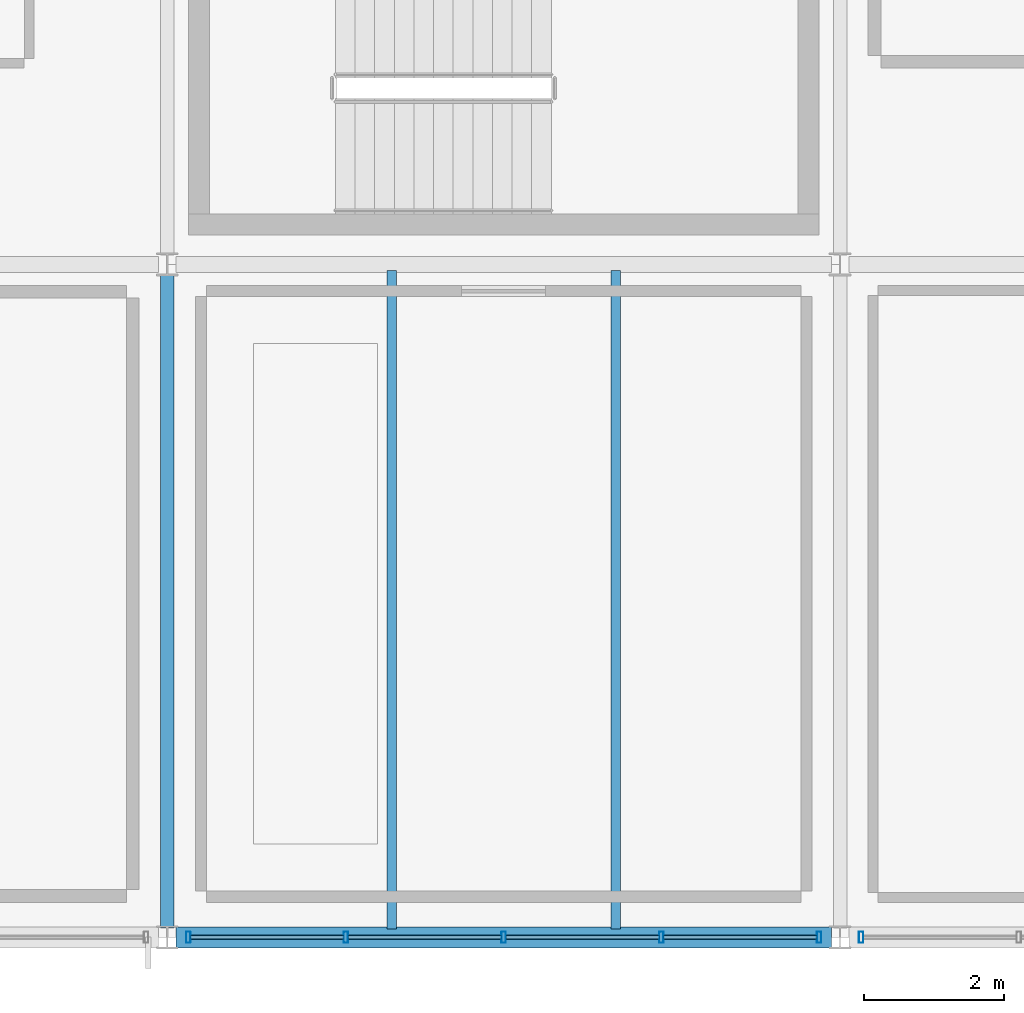
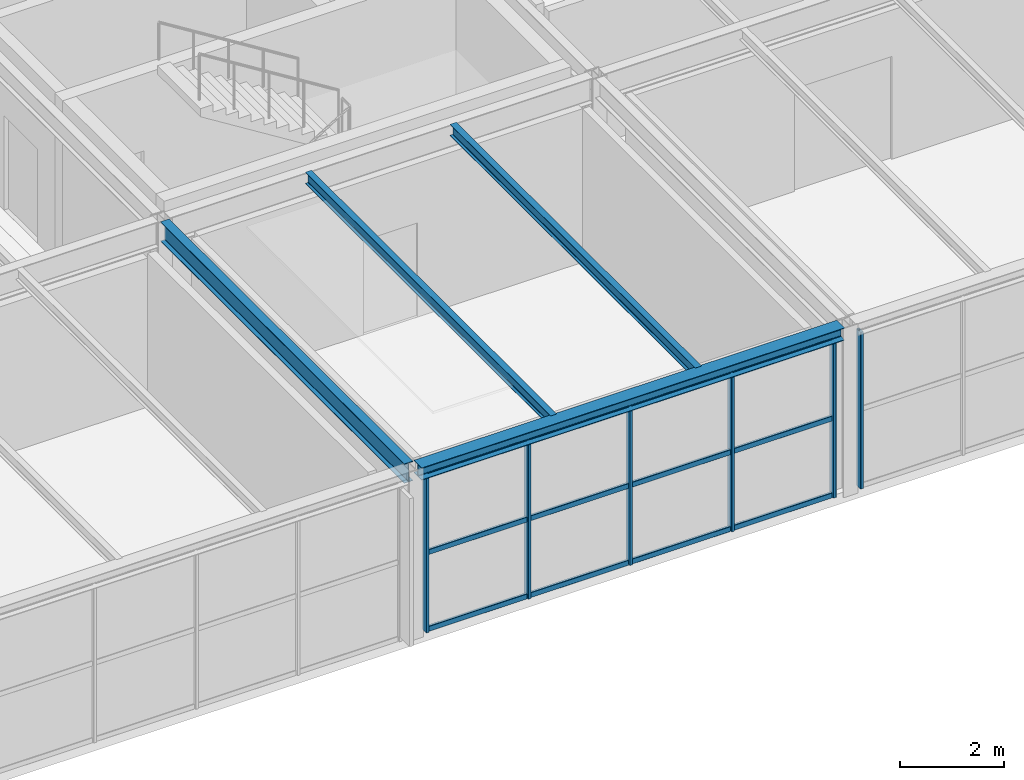
# One storey, part 22 of 50: 18 members, 4 beams, 2 elements without a shape of their own.
"""IFC4 building model written with IfcOpenShell, lengths in metres."""

from ifc_helpers import new_model, si_unit, direction, frame, origin, origin_2d, place, context, subcontext, project, spatial, hollow_rectangle, i_section, extrude, material, material_profile, profile_set, type_object, element, aggregate, save


model = new_model("IFC4")

# Units and contexts
model_context = context("Model", 3, precision=1e-05, world=origin(), true_north=direction((0.0, 1.0)))
body_context = subcontext(model_context, "Body", "Model", "MODEL_VIEW")
ifc_project = project(units=[si_unit("LENGTHUNIT", "METRE"), si_unit("AREAUNIT", "SQUARE_METRE"), si_unit("VOLUMEUNIT", "CUBIC_METRE"), si_unit("PLANEANGLEUNIT", "RADIAN"), si_unit("MASSUNIT", "GRAM", prefix="KILO")], contexts=[model_context])

# Site, building, storey
site_placement = place(None, origin())
site = spatial("IfcSite", under=ifc_project, at=site_placement, CompositionType="ELEMENT")
building_placement = place(site_placement, origin())
building = spatial("IfcBuilding", under=site, at=building_placement, Name="Coralgate Yard Interchange", CompositionType="ELEMENT")
storey_placement = place(building_placement, frame((0.0, 0.0, 14.699951171875)))
storey = spatial("IfcBuildingStorey", under=building, at=storey_placement, Name="L03", CompositionType="ELEMENT", Elevation=14.699951171875)

# Beams
ifc_material_1 = material(Name="Structural steel S355J2", Category="steel")
ifc_material_profile_1 = material_profile(ifc_material_1, i_section(OverallWidth=0.1904296875, OverallDepth=0.45703125, WebThickness=0.009033203125, FlangeThickness=0.014404296875, FilletRadius=0.01025390625, at=origin_2d()), Name="UB 457x191x74")
ifc_profile_set_1 = profile_set([ifc_material_profile_1], Name="Structural steel S355J2")
beam_type_1 = type_object("IfcBeamType", Name="BM-SB-2", PredefinedType="BEAM", material=ifc_profile_set_1)
beam_1_placement = place(storey_placement, frame((48.0, 0.133544921875, 3.721435546875), z_axis=(0.0, 1.0, 0.0), x_axis=(-1.0, 0.0, 0.0)))
element("IfcBeam", 1, at=beam_1_placement, inside=storey, type_object=beam_type_1, Name="L03 primary grid girder X5 Y0-1", PredefinedType="BEAM", context=body_context, shape_type="SweptSolid", body=[
    extrude(i_section(OverallWidth=0.1904296875, OverallDepth=0.45703125, WebThickness=0.009033203125, FlangeThickness=0.014404296875, FilletRadius=0.01025390625, at=origin_2d()), origin(), (0.0, 0.0, 1.0), 9.3330078125),
])
ifc_material_profile_2 = material_profile(ifc_material_1, i_section(OverallWidth=0.135009765625, OverallDepth=0.27001953125, WebThickness=0.006591796875, FlangeThickness=0.01025390625, FilletRadius=0.014892578125, at=origin_2d()), Name="IPE 270")
ifc_profile_set_2 = profile_set([ifc_material_profile_2], Name="Structural steel S355J2")
beam_type_2 = type_object("IfcBeamType", Name="BM-SJ-3", PredefinedType="JOIST", material=ifc_profile_set_2)
for number, where, z_axis, x_axis, name in (
    (2, (51.199951171875, 0.1201171875, 3.81494140625), (0.0, 1.0, 0.0), (-1.0, 0.0, 0.0), "L03 composite floor joist 5-0-1"),
    (3, (54.39990234375, 0.1201171875, 3.81494140625), (0.0, 1.0, 0.0), (-1.0, 0.0, 0.0), "L03 composite floor joist 5-0-2"),
):
    element("IfcBeam", number, at=place(storey_placement, frame(where, z_axis=z_axis, x_axis=x_axis)), inside=storey, type_object=beam_type_2, Name=name, PredefinedType="JOIST", context=body_context, shape_type="SweptSolid", body=[
        extrude(i_section(OverallWidth=0.135009765625, OverallDepth=0.27001953125, WebThickness=0.006591796875, FlangeThickness=0.01025390625, FilletRadius=0.014892578125, at=origin_2d()), origin(), (0.0, 0.0, 1.0), 9.395751953125),
    ])
ifc_material_profile_3 = material_profile(ifc_material_1, i_section(OverallWidth=0.300048828125, OverallDepth=0.2900390625, WebThickness=0.008544921875, FlangeThickness=0.013916015625, FilletRadius=0.027099609375, at=origin_2d()), Name="HEA 300")
ifc_profile_set_3 = profile_set([ifc_material_profile_3], Name="Structural steel S355J2")
beam_type_3 = type_object("IfcBeamType", Name="BM-SP-2", PredefinedType="SPANDREL", material=ifc_profile_set_3)
beam_2_placement = place(storey_placement, frame((48.12548828125, 0.0, 3.804931640625), z_axis=(1.0, 0.0, 0.0), x_axis=(0.0, 1.0, 0.0)))
element("IfcBeam", 4, at=beam_2_placement, inside=storey, type_object=beam_type_3, Name="L03 primary grid beam Y0 X5-6", PredefinedType="SPANDREL", context=body_context, shape_type="SweptSolid", body=[
    extrude(i_section(OverallWidth=0.300048828125, OverallDepth=0.2900390625, WebThickness=0.008544921875, FlangeThickness=0.013916015625, FilletRadius=0.027099609375, at=origin_2d()), origin(), (0.0, 0.0, 1.0), 9.348876953125),
])

# Curtain wall, members
ifc_material_2 = material(Name="Anodised coastal aluminium and solar-control low-E glass", Category="aluminium")
curtain_wall_type = type_object("IfcCurtainWallType", Name="CW-CW-L03-A", PredefinedType="NOTDEFINED", material=ifc_material_2)
curtain_wall_1_placement = place(storey_placement, origin())
curtain_wall_1 = element("IfcCurtainWall", 5, at=curtain_wall_1_placement, inside=storey, type_object=curtain_wall_type, Name="L03 unitised curtain wall CW-L03-S-05-00", PredefinedType="NOTDEFINED")
ifc_material_3 = material(Name="Anodised coastal aluminium 6063-T6", Category="aluminium")
ifc_material_profile_4 = material_profile(ifc_material_3, hollow_rectangle(XDim=0.06494140625, YDim=0.159912109375, WallThickness=0.00390625, InnerFilletRadius=0.00390625, OuterFilletRadius=0.008056640625, at=origin_2d()), Name="ALU 65x160x4")
ifc_profile_set_4 = profile_set([ifc_material_profile_4], Name="Anodised coastal aluminium 6063-T6")
member_type_1 = type_object("IfcMemberType", Name="MB-MUL-160", PredefinedType="MULLION", material=ifc_profile_set_4)
member_1_placement = place(storey_placement, frame((57.300048828125, 0.0, 0.0), z_axis=(0.0, 0.0, 1.0), x_axis=(1.0, 0.0, 0.0)))
member_1 = element("IfcMember", 6, at=member_1_placement, type_object=member_type_1, Name="CW-L03-S-05-00 vertical mullion 1", PredefinedType="MULLION", context=body_context, shape_type="SweptSolid", body=[
    extrude(hollow_rectangle(XDim=0.06494140625, YDim=0.159912109375, WallThickness=0.00390625, InnerFilletRadius=0.00390625, OuterFilletRadius=0.008056640625, at=origin_2d()), origin(), (0.0, 0.0, 1.0), 3.66015625),
])
member_2_placement = place(storey_placement, frame((55.050048828125, 0.0, 0.0), z_axis=(0.0, 0.0, 1.0), x_axis=(1.0, 0.0, 0.0)))
member_2 = element("IfcMember", 7, at=member_2_placement, type_object=member_type_1, Name="CW-L03-S-05-00 vertical mullion 2", PredefinedType="MULLION", context=body_context, shape_type="SweptSolid", body=[
    extrude(hollow_rectangle(XDim=0.06494140625, YDim=0.159912109375, WallThickness=0.00390625, InnerFilletRadius=0.00390625, OuterFilletRadius=0.008056640625, at=origin_2d()), origin(), (0.0, 0.0, 1.0), 3.66015625),
])
member_3_placement = place(storey_placement, frame((52.800048828125, 0.0, 0.0), z_axis=(0.0, 0.0, 1.0), x_axis=(1.0, 0.0, 0.0)))
member_3 = element("IfcMember", 8, at=member_3_placement, type_object=member_type_1, Name="CW-L03-S-05-00 vertical mullion 3", PredefinedType="MULLION", context=body_context, shape_type="SweptSolid", body=[
    extrude(hollow_rectangle(XDim=0.06494140625, YDim=0.159912109375, WallThickness=0.00390625, InnerFilletRadius=0.00390625, OuterFilletRadius=0.008056640625, at=origin_2d()), origin(), (0.0, 0.0, 1.0), 3.66015625),
])
member_4_placement = place(storey_placement, frame((50.550048828125, 0.0, 0.0), z_axis=(0.0, 0.0, 1.0), x_axis=(1.0, 0.0, 0.0)))
member_4 = element("IfcMember", 9, at=member_4_placement, type_object=member_type_1, Name="CW-L03-S-05-00 vertical mullion 4", PredefinedType="MULLION", context=body_context, shape_type="SweptSolid", body=[
    extrude(hollow_rectangle(XDim=0.06494140625, YDim=0.159912109375, WallThickness=0.00390625, InnerFilletRadius=0.00390625, OuterFilletRadius=0.008056640625, at=origin_2d()), origin(), (0.0, 0.0, 1.0), 3.66015625),
])
member_5_placement = place(storey_placement, frame((48.300048828125, 0.0, 0.0), z_axis=(0.0, 0.0, 1.0), x_axis=(1.0, 0.0, 0.0)))
member_5 = element("IfcMember", 10, at=member_5_placement, type_object=member_type_1, Name="CW-L03-S-05-00 vertical mullion 5", PredefinedType="MULLION", context=body_context, shape_type="SweptSolid", body=[
    extrude(hollow_rectangle(XDim=0.06494140625, YDim=0.159912109375, WallThickness=0.00390625, InnerFilletRadius=0.00390625, OuterFilletRadius=0.008056640625, at=origin_2d()), origin(), (0.0, 0.0, 1.0), 3.66015625),
])

# Curtain wall, member
curtain_wall_2_placement = place(storey_placement, origin())
curtain_wall_2 = element("IfcCurtainWall", 11, at=curtain_wall_2_placement, inside=storey, type_object=curtain_wall_type, Name="L03 unitised curtain wall CW-L03-S-06-00", PredefinedType="NOTDEFINED")
member_6_placement = place(storey_placement, frame((57.89990234375, 0.0, 0.0), z_axis=(0.0, 0.0, 1.0), x_axis=(1.0, 0.0, 0.0)))
member_6 = element("IfcMember", 12, at=member_6_placement, type_object=member_type_1, Name="CW-L03-S-06-00 vertical mullion 5", PredefinedType="MULLION", context=body_context, shape_type="SweptSolid", body=[
    extrude(hollow_rectangle(XDim=0.06494140625, YDim=0.159912109375, WallThickness=0.00390625, InnerFilletRadius=0.00390625, OuterFilletRadius=0.008056640625, at=origin_2d()), origin(), (0.0, 0.0, 1.0), 3.66015625),
])
aggregate(curtain_wall_2, [member_6])

# Member
ifc_material_profile_5 = material_profile(ifc_material_3, hollow_rectangle(XDim=0.06005859375, YDim=0.1201171875, WallThickness=0.00341796875, InnerFilletRadius=0.00341796875, OuterFilletRadius=0.007080078125, at=origin_2d()), Name="ALU 60x120x3.5")
ifc_profile_set_5 = profile_set([ifc_material_profile_5], Name="Anodised coastal aluminium 6063-T6")
member_type_2 = type_object("IfcMemberType", Name="MB-TRN-120", PredefinedType="USERDEFINED", material=ifc_profile_set_5)
member_7_placement = place(storey_placement, frame((57.27001953125, 0.0, 0.03515625), z_axis=(-1.0, 0.0, 0.0), x_axis=(0.0, -1.0, 0.0)))
member_7 = element("IfcMember", 13, at=member_7_placement, type_object=member_type_2, Name="CW-L03-S-05-00 horizontal transom 1-1", ObjectType="TRANSOM", PredefinedType="USERDEFINED", context=body_context, shape_type="SweptSolid", body=[
    extrude(hollow_rectangle(XDim=0.06005859375, YDim=0.1201171875, WallThickness=0.00341796875, InnerFilletRadius=0.00341796875, OuterFilletRadius=0.007080078125, at=origin_2d()), origin(), (0.0, 0.0, 1.0), 2.18994140625),
])

member_8_placement = place(storey_placement, frame((57.27001953125, 0.0, 1.830078125), z_axis=(-1.0, 0.0, 0.0), x_axis=(0.0, -1.0, 0.0)))
member_8 = element("IfcMember", 14, at=member_8_placement, type_object=member_type_2, Name="CW-L03-S-05-00 horizontal transom 1-2", ObjectType="TRANSOM", PredefinedType="USERDEFINED", context=body_context, shape_type="SweptSolid", body=[
    extrude(hollow_rectangle(XDim=0.06005859375, YDim=0.1201171875, WallThickness=0.00341796875, InnerFilletRadius=0.00341796875, OuterFilletRadius=0.007080078125, at=origin_2d()), origin(), (0.0, 0.0, 1.0), 2.18994140625),
])

member_9_placement = place(storey_placement, frame((57.27001953125, 0.0, 3.625), z_axis=(-1.0, 0.0, 0.0), x_axis=(0.0, -1.0, 0.0)))
member_9 = element("IfcMember", 15, at=member_9_placement, type_object=member_type_2, Name="CW-L03-S-05-00 horizontal transom 1-3", ObjectType="TRANSOM", PredefinedType="USERDEFINED", context=body_context, shape_type="SweptSolid", body=[
    extrude(hollow_rectangle(XDim=0.06005859375, YDim=0.1201171875, WallThickness=0.00341796875, InnerFilletRadius=0.00341796875, OuterFilletRadius=0.007080078125, at=origin_2d()), origin(), (0.0, 0.0, 1.0), 2.18994140625),
])

member_10_placement = place(storey_placement, frame((55.02001953125, 0.0, 0.03515625), z_axis=(-1.0, 0.0, 0.0), x_axis=(0.0, -1.0, 0.0)))
member_10 = element("IfcMember", 16, at=member_10_placement, type_object=member_type_2, Name="CW-L03-S-05-00 horizontal transom 2-1", ObjectType="TRANSOM", PredefinedType="USERDEFINED", context=body_context, shape_type="SweptSolid", body=[
    extrude(hollow_rectangle(XDim=0.06005859375, YDim=0.1201171875, WallThickness=0.00341796875, InnerFilletRadius=0.00341796875, OuterFilletRadius=0.007080078125, at=origin_2d()), origin(), (0.0, 0.0, 1.0), 2.18994140625),
])

member_11_placement = place(storey_placement, frame((55.02001953125, 0.0, 1.830078125), z_axis=(-1.0, 0.0, 0.0), x_axis=(0.0, -1.0, 0.0)))
member_11 = element("IfcMember", 17, at=member_11_placement, type_object=member_type_2, Name="CW-L03-S-05-00 horizontal transom 2-2", ObjectType="TRANSOM", PredefinedType="USERDEFINED", context=body_context, shape_type="SweptSolid", body=[
    extrude(hollow_rectangle(XDim=0.06005859375, YDim=0.1201171875, WallThickness=0.00341796875, InnerFilletRadius=0.00341796875, OuterFilletRadius=0.007080078125, at=origin_2d()), origin(), (0.0, 0.0, 1.0), 2.18994140625),
])

member_12_placement = place(storey_placement, frame((55.02001953125, 0.0, 3.625), z_axis=(-1.0, 0.0, 0.0), x_axis=(0.0, -1.0, 0.0)))
member_12 = element("IfcMember", 18, at=member_12_placement, type_object=member_type_2, Name="CW-L03-S-05-00 horizontal transom 2-3", ObjectType="TRANSOM", PredefinedType="USERDEFINED", context=body_context, shape_type="SweptSolid", body=[
    extrude(hollow_rectangle(XDim=0.06005859375, YDim=0.1201171875, WallThickness=0.00341796875, InnerFilletRadius=0.00341796875, OuterFilletRadius=0.007080078125, at=origin_2d()), origin(), (0.0, 0.0, 1.0), 2.18994140625),
])

member_13_placement = place(storey_placement, frame((52.77001953125, 0.0, 0.03515625), z_axis=(-1.0, 0.0, 0.0), x_axis=(0.0, -1.0, 0.0)))
member_13 = element("IfcMember", 19, at=member_13_placement, type_object=member_type_2, Name="CW-L03-S-05-00 horizontal transom 3-1", ObjectType="TRANSOM", PredefinedType="USERDEFINED", context=body_context, shape_type="SweptSolid", body=[
    extrude(hollow_rectangle(XDim=0.06005859375, YDim=0.1201171875, WallThickness=0.00341796875, InnerFilletRadius=0.00341796875, OuterFilletRadius=0.007080078125, at=origin_2d()), origin(), (0.0, 0.0, 1.0), 2.18994140625),
])

member_14_placement = place(storey_placement, frame((52.77001953125, 0.0, 1.830078125), z_axis=(-1.0, 0.0, 0.0), x_axis=(0.0, -1.0, 0.0)))
member_14 = element("IfcMember", 20, at=member_14_placement, type_object=member_type_2, Name="CW-L03-S-05-00 horizontal transom 3-2", ObjectType="TRANSOM", PredefinedType="USERDEFINED", context=body_context, shape_type="SweptSolid", body=[
    extrude(hollow_rectangle(XDim=0.06005859375, YDim=0.1201171875, WallThickness=0.00341796875, InnerFilletRadius=0.00341796875, OuterFilletRadius=0.007080078125, at=origin_2d()), origin(), (0.0, 0.0, 1.0), 2.18994140625),
])

member_15_placement = place(storey_placement, frame((52.77001953125, 0.0, 3.625), z_axis=(-1.0, 0.0, 0.0), x_axis=(0.0, -1.0, 0.0)))
member_15 = element("IfcMember", 21, at=member_15_placement, type_object=member_type_2, Name="CW-L03-S-05-00 horizontal transom 3-3", ObjectType="TRANSOM", PredefinedType="USERDEFINED", context=body_context, shape_type="SweptSolid", body=[
    extrude(hollow_rectangle(XDim=0.06005859375, YDim=0.1201171875, WallThickness=0.00341796875, InnerFilletRadius=0.00341796875, OuterFilletRadius=0.007080078125, at=origin_2d()), origin(), (0.0, 0.0, 1.0), 2.18994140625),
])

member_16_placement = place(storey_placement, frame((50.52001953125, 0.0, 0.03515625), z_axis=(-1.0, 0.0, 0.0), x_axis=(0.0, -1.0, 0.0)))
member_16 = element("IfcMember", 22, at=member_16_placement, type_object=member_type_2, Name="CW-L03-S-05-00 horizontal transom 4-1", ObjectType="TRANSOM", PredefinedType="USERDEFINED", context=body_context, shape_type="SweptSolid", body=[
    extrude(hollow_rectangle(XDim=0.06005859375, YDim=0.1201171875, WallThickness=0.00341796875, InnerFilletRadius=0.00341796875, OuterFilletRadius=0.007080078125, at=origin_2d()), origin(), (0.0, 0.0, 1.0), 2.18994140625),
])

member_17_placement = place(storey_placement, frame((50.52001953125, 0.0, 1.830078125), z_axis=(-1.0, 0.0, 0.0), x_axis=(0.0, -1.0, 0.0)))
member_17 = element("IfcMember", 23, at=member_17_placement, type_object=member_type_2, Name="CW-L03-S-05-00 horizontal transom 4-2", ObjectType="TRANSOM", PredefinedType="USERDEFINED", context=body_context, shape_type="SweptSolid", body=[
    extrude(hollow_rectangle(XDim=0.06005859375, YDim=0.1201171875, WallThickness=0.00341796875, InnerFilletRadius=0.00341796875, OuterFilletRadius=0.007080078125, at=origin_2d()), origin(), (0.0, 0.0, 1.0), 2.18994140625),
])

member_18_placement = place(storey_placement, frame((50.52001953125, 0.0, 3.625), z_axis=(-1.0, 0.0, 0.0), x_axis=(0.0, -1.0, 0.0)))
member_18 = element("IfcMember", 24, at=member_18_placement, type_object=member_type_2, Name="CW-L03-S-05-00 horizontal transom 4-3", ObjectType="TRANSOM", PredefinedType="USERDEFINED", context=body_context, shape_type="SweptSolid", body=[
    extrude(hollow_rectangle(XDim=0.06005859375, YDim=0.1201171875, WallThickness=0.00341796875, InnerFilletRadius=0.00341796875, OuterFilletRadius=0.007080078125, at=origin_2d()), origin(), (0.0, 0.0, 1.0), 2.18994140625),
])

aggregate(curtain_wall_1, [member_1, member_2, member_3, member_4, member_5, member_7, member_8, member_9, member_10, member_11, member_12, member_13, member_14, member_15, member_16, member_17, member_18])

save(model, "model.ifc")
